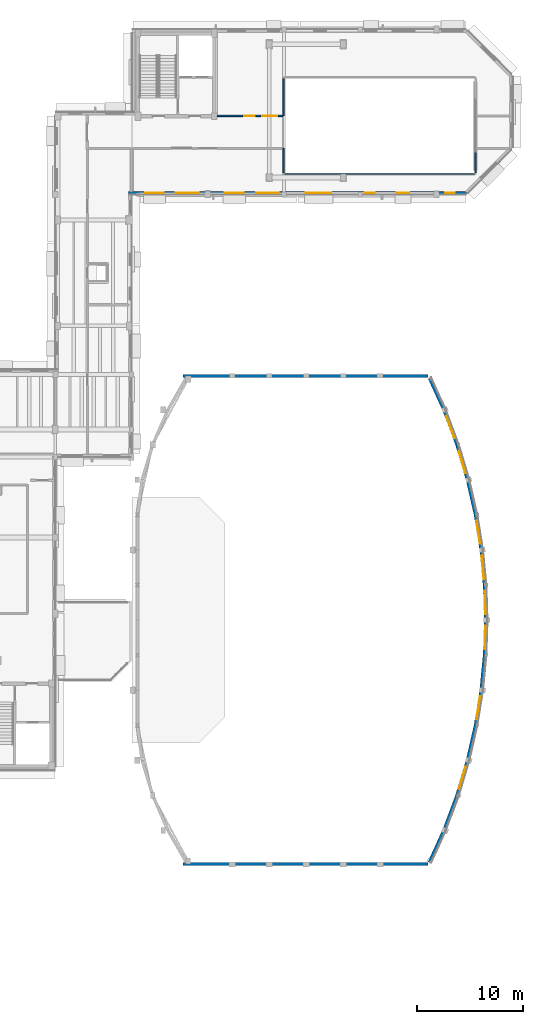
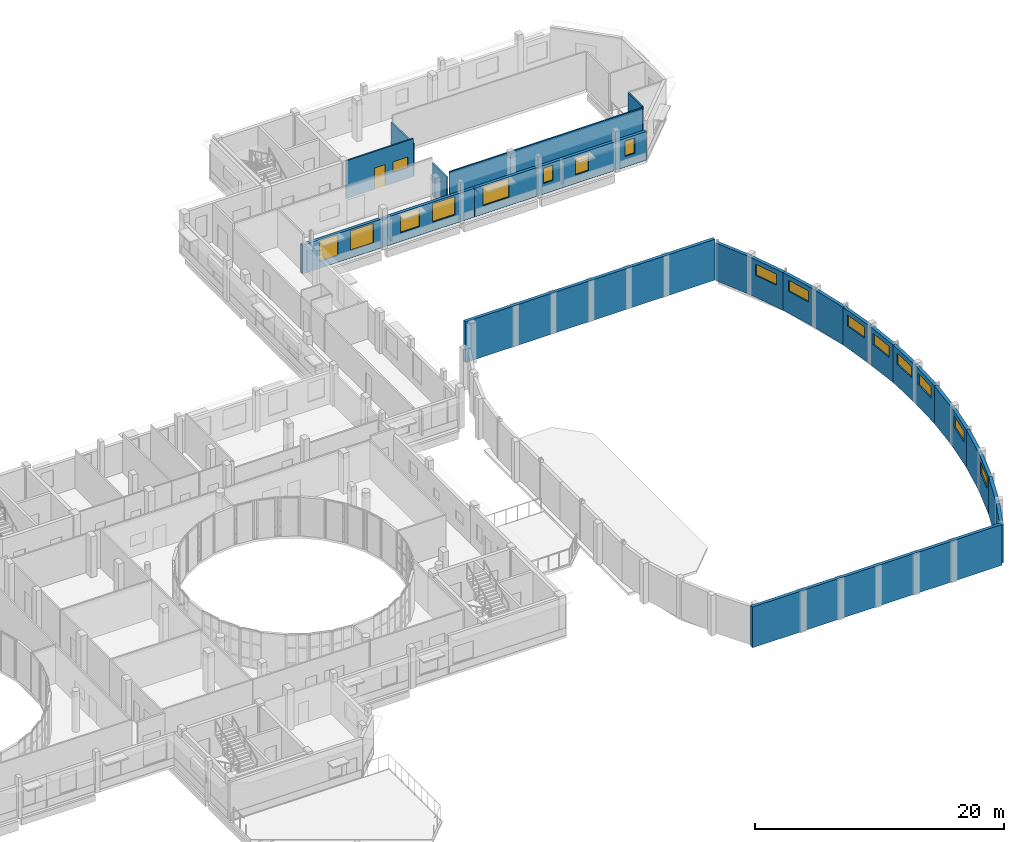
# One storey, part 74 of 89: 23 walls, 17 windows, 1 door, 18 openings.
"""IFC4 building model written with IfcOpenShell, lengths in metres."""

from ifc_helpers import new_model, si_unit, direction, frame, frame_2d, origin, place, context, subcontext, project, spatial, rectangle, extrude, material, layer, layer_set, type_object, element, fill, save


model = new_model("IFC4")

# Units and contexts
model_context = context("Model", 3, precision=1e-05, world=origin(), true_north=direction((0.0, 1.0)))
body_context = subcontext(model_context, "Body", "Model", "MODEL_VIEW")
ifc_project = project(units=[si_unit("LENGTHUNIT", "METRE"), si_unit("AREAUNIT", "SQUARE_METRE"), si_unit("VOLUMEUNIT", "CUBIC_METRE"), si_unit("PLANEANGLEUNIT", "RADIAN"), si_unit("MASSUNIT", "GRAM", prefix="KILO")], contexts=[model_context])

# Site, building, storey
site_placement = place(None, origin())
site = spatial("IfcSite", under=ifc_project, at=site_placement, CompositionType="ELEMENT")
building_placement = place(site_placement, origin())
building = spatial("IfcBuilding", under=site, at=building_placement, Name="Kelanivale Promenade Academy", CompositionType="ELEMENT")
storey_placement = place(building_placement, frame((0.0, 0.0, 12.199951171875)))
storey = spatial("IfcBuildingStorey", under=building, at=storey_placement, Name="L03", CompositionType="ELEMENT", Elevation=12.199951171875)

# Walls
ifc_material_1 = material(Name="Insulated terracotta-clad masonry wall 300 mm", Category="masonry")
ifc_layer_1 = layer(ifc_material_1, 0.300048828125)
ifc_layer_set_1 = layer_set([ifc_layer_1], Name="Insulated terracotta-clad masonry wall 300 mm")
wall_type_1 = type_object("IfcWallType", Name="EW-01 Wall 300mm", PredefinedType="SOLIDWALL", material=ifc_layer_set_1)
wall_1_placement = place(storey_placement, frame((150.928955078125, 33.30908203125, 0.0), z_axis=(0.0, 0.0, 1.0), x_axis=(0.414382257429, 0.910102930842, 0.0)))
element("IfcWall", 1, at=wall_1_placement, inside=storey, type_object=wall_type_1, Name="Assembly Hall Arc Pavilion curved terracotta wall L03", PredefinedType="SOLIDWALL", context=body_context, shape_type="SweptSolid", body=[
    extrude(rectangle(XDim=3.3017578125, YDim=0.300048828125, at=frame_2d((1.65087890625, 0.0))), origin(), (0.0, 0.0, 1.0), 3.695068359375),
])
wall_2_placement = place(storey_placement, frame((152.297119140625, 36.31396484375, 0.0), z_axis=(0.0, 0.0, 1.0), x_axis=(0.350836219137, 0.936436835746, 0.0)))
element("IfcWall", 2, at=wall_2_placement, inside=storey, type_object=wall_type_1, Name="Assembly Hall Arc Pavilion curved terracotta wall L03", PredefinedType="SOLIDWALL", context=body_context, shape_type="SweptSolid", body=[
    extrude(rectangle(XDim=3.5400390625, YDim=0.300048828125, at=frame_2d((1.77001953125, 0.0))), origin(), (0.0, 0.0, 1.0), 3.695068359375),
])

# Wall, opening, window
wall_3_placement = place(storey_placement, frame((153.5390625, 39.62890625, 0.0), z_axis=(0.0, 0.0, 1.0), x_axis=(0.286991798892, 0.957933039084, 0.0)))
wall_3 = element("IfcWall", 3, at=wall_3_placement, inside=storey, type_object=wall_type_1, Name="Assembly Hall Arc Pavilion curved terracotta wall L03", PredefinedType="SOLIDWALL", context=body_context, shape_type="SweptSolid", body=[
    extrude(rectangle(XDim=3.459716796875, YDim=0.300048828125, at=frame_2d((1.72998046875, 0.0))), origin(), (0.0, 0.0, 1.0), 3.695068359375),
])
opening_1_placement = place(wall_3_placement, frame((0.6298828125, 0.0, 2.14990234375)))
opening_1 = element("IfcOpeningElement", 4, at=opening_1_placement, cuts=wall_3, Name="Opening WT-19", PredefinedType="OPENING", context=body_context, shape_type="SweptSolid", body=[
    extrude(rectangle(XDim=2.199951171875, YDim=1.10009765625, at=frame_2d((1.10009765625, 0.550048828125))), frame((0.0, 0.16015625, 0.0), z_axis=(0.0, -1.0, 0.0), x_axis=(1.0, 0.0, 0.0)), (0.0, 0.0, 1.0), 0.320068359375),
])
ifc_material_2 = material(Name="Bronze anodised aluminium frame with low-E laminated glass", Category="aluminium")
window_type_1 = type_object("IfcWindowType", Name="WT-19 Window 2200x1100", PartitioningType="SINGLE_PANEL", PredefinedType="WINDOW", material=ifc_material_2)
window_1_placement = place(opening_1_placement, origin())
window_1 = element("IfcWindow", 5, at=window_1_placement, inside=storey, type_object=window_type_1, Name="Window WT-19", OverallHeight=1.10009765625, OverallWidth=2.199951171875, PartitioningType="SINGLE_PANEL", PredefinedType="WINDOW", context=body_context, shape_type="SweptSolid", body=[
    extrude(rectangle(XDim=2.199951171875, YDim=1.10009765625, at=frame_2d((1.10009765625, 0.550048828125))), frame((0.0, 0.030029296875, 0.0), z_axis=(0.0, -1.0, 0.0), x_axis=(1.0, 0.0, 0.0)), (0.0, 0.0, 1.0), 0.06005859375),
])
fill(opening_1, window_1)

# Wall
wall_4_placement = place(storey_placement, frame((154.531982421875, 42.943115234375, 0.0), z_axis=(0.0, 0.0, 1.0), x_axis=(0.223259599234, 0.974759022195, 0.0)))
element("IfcWall", 6, at=wall_4_placement, inside=storey, type_object=wall_type_1, Name="Assembly Hall Arc Pavilion curved terracotta wall L03", PredefinedType="SOLIDWALL", context=body_context, shape_type="SweptSolid", body=[
    extrude(rectangle(XDim=3.399658203125, YDim=0.300048828125, at=frame_2d((1.69970703125, 0.0))), origin(), (0.0, 0.0, 1.0), 3.695068359375),
])

# Wall, opening, window
wall_5_placement = place(storey_placement, frame((155.291015625, 46.257080078125, 0.0), z_axis=(0.0, 0.0, 1.0), x_axis=(0.159349054769, 0.987222304623, 0.0)))
wall_5 = element("IfcWall", 7, at=wall_5_placement, inside=storey, type_object=wall_type_1, Name="Assembly Hall Arc Pavilion curved terracotta wall L03", PredefinedType="SOLIDWALL", context=body_context, shape_type="SweptSolid", body=[
    extrude(rectangle(XDim=3.35693359375, YDim=0.300048828125, at=frame_2d((1.678466796875, 0.0))), origin(), (0.0, 0.0, 1.0), 3.695068359375),
])
opening_2_placement = place(wall_5_placement, frame((0.577880859375, 0.0, 2.14990234375)))
opening_2 = element("IfcOpeningElement", 8, at=opening_2_placement, cuts=wall_5, Name="Opening WT-19", PredefinedType="OPENING", context=body_context, shape_type="SweptSolid", body=[
    extrude(rectangle(XDim=2.199951171875, YDim=1.10009765625, at=frame_2d((1.10009765625, 0.550048828125))), frame((0.0, 0.16015625, 0.0), z_axis=(0.0, -1.0, 0.0), x_axis=(1.0, 0.0, 0.0)), (0.0, 0.0, 1.0), 0.320068359375),
])
window_2_placement = place(opening_2_placement, origin())
window_2 = element("IfcWindow", 9, at=window_2_placement, inside=storey, type_object=window_type_1, Name="Window WT-19", OverallHeight=1.10009765625, OverallWidth=2.199951171875, PartitioningType="SINGLE_PANEL", PredefinedType="WINDOW", context=body_context, shape_type="SweptSolid", body=[
    extrude(rectangle(XDim=2.199951171875, YDim=1.10009765625, at=frame_2d((1.10009765625, 0.550048828125))), frame((0.0, 0.030029296875, 0.0), z_axis=(0.0, -1.0, 0.0), x_axis=(1.0, 0.0, 0.0)), (0.0, 0.0, 1.0), 0.06005859375),
])
fill(opening_2, window_2)

# Wall
wall_6_placement = place(storey_placement, frame((155.825927734375, 49.571044921875, 0.0), z_axis=(0.0, 0.0, 1.0), x_axis=(0.095525216858, 0.995427010355, 0.0)))
element("IfcWall", 10, at=wall_6_placement, inside=storey, type_object=wall_type_1, Name="Assembly Hall Arc Pavilion curved terracotta wall L03", PredefinedType="SOLIDWALL", context=body_context, shape_type="SweptSolid", body=[
    extrude(rectangle(XDim=3.330078125, YDim=0.300048828125, at=frame_2d((1.6650390625, 0.0))), origin(), (0.0, 0.0, 1.0), 3.695068359375),
])

# Wall, opening, window
wall_7_placement = place(storey_placement, frame((156.14404296875, 52.885986328125, 0.0), z_axis=(0.0, 0.0, 1.0), x_axis=(0.031956559473, 0.999489258725, 0.0)))
wall_7 = element("IfcWall", 11, at=wall_7_placement, inside=storey, type_object=wall_type_1, Name="Assembly Hall Arc Pavilion curved terracotta wall L03", PredefinedType="SOLIDWALL", context=body_context, shape_type="SweptSolid", body=[
    extrude(rectangle(XDim=3.315673828125, YDim=0.300048828125, at=frame_2d((1.65771484375, 0.0))), origin(), (0.0, 0.0, 1.0), 3.695068359375),
])
opening_3_placement = place(wall_7_placement, frame((0.55810546875, 0.0, 2.14990234375)))
opening_3 = element("IfcOpeningElement", 12, at=opening_3_placement, cuts=wall_7, Name="Opening WT-19", PredefinedType="OPENING", context=body_context, shape_type="SweptSolid", body=[
    extrude(rectangle(XDim=2.199951171875, YDim=1.10009765625, at=frame_2d((1.10009765625, 0.550048828125))), frame((0.0, 0.16015625, 0.0), z_axis=(0.0, -1.0, 0.0), x_axis=(1.0, 0.0, 0.0)), (0.0, 0.0, 1.0), 0.320068359375),
])
window_3_placement = place(opening_3_placement, origin())
window_3 = element("IfcWindow", 13, at=window_3_placement, inside=storey, type_object=window_type_1, Name="Window WT-19", OverallHeight=1.10009765625, OverallWidth=2.199951171875, PartitioningType="SINGLE_PANEL", PredefinedType="WINDOW", context=body_context, shape_type="SweptSolid", body=[
    extrude(rectangle(XDim=2.199951171875, YDim=1.10009765625, at=frame_2d((1.10009765625, 0.550048828125))), frame((0.0, 0.030029296875, 0.0), z_axis=(0.0, -1.0, 0.0), x_axis=(1.0, 0.0, 0.0)), (0.0, 0.0, 1.0), 0.06005859375),
])
fill(opening_3, window_3)

wall_8_placement = place(storey_placement, frame((156.25, 56.199951171875, 0.0), z_axis=(0.0, 0.0, 1.0), x_axis=(-0.031956559473, 0.999489258725, 0.0)))
wall_8 = element("IfcWall", 14, at=wall_8_placement, inside=storey, type_object=wall_type_1, Name="Assembly Hall Arc Pavilion curved terracotta wall L03", PredefinedType="SOLIDWALL", context=body_context, shape_type="SweptSolid", body=[
    extrude(rectangle(XDim=3.315673828125, YDim=0.300048828125, at=frame_2d((1.65771484375, 0.0))), origin(), (0.0, 0.0, 1.0), 3.695068359375),
])
opening_4_placement = place(wall_8_placement, frame((0.55810546875, 0.0, 2.14990234375)))
opening_4 = element("IfcOpeningElement", 15, at=opening_4_placement, cuts=wall_8, Name="Opening WT-19", PredefinedType="OPENING", context=body_context, shape_type="SweptSolid", body=[
    extrude(rectangle(XDim=2.199951171875, YDim=1.10009765625, at=frame_2d((1.10009765625, 0.550048828125))), frame((0.0, 0.16015625, 0.0), z_axis=(0.0, -1.0, 0.0), x_axis=(1.0, 0.0, 0.0)), (0.0, 0.0, 1.0), 0.320068359375),
])
window_4_placement = place(opening_4_placement, origin())
window_4 = element("IfcWindow", 16, at=window_4_placement, inside=storey, type_object=window_type_1, Name="Window WT-19", OverallHeight=1.10009765625, OverallWidth=2.199951171875, PartitioningType="SINGLE_PANEL", PredefinedType="WINDOW", context=body_context, shape_type="SweptSolid", body=[
    extrude(rectangle(XDim=2.199951171875, YDim=1.10009765625, at=frame_2d((1.10009765625, 0.550048828125))), frame((0.0, 0.030029296875, 0.0), z_axis=(0.0, -1.0, 0.0), x_axis=(1.0, 0.0, 0.0)), (0.0, 0.0, 1.0), 0.06005859375),
])
fill(opening_4, window_4)

wall_9_placement = place(storey_placement, frame((156.14404296875, 59.513916015625, 0.0), z_axis=(0.0, 0.0, 1.0), x_axis=(-0.095518246268, 0.995427679256, 0.0)))
wall_9 = element("IfcWall", 17, at=wall_9_placement, inside=storey, type_object=wall_type_1, Name="Assembly Hall Arc Pavilion curved terracotta wall L03", PredefinedType="SOLIDWALL", context=body_context, shape_type="SweptSolid", body=[
    extrude(rectangle(XDim=3.330322265625, YDim=0.300048828125, at=frame_2d((1.6650390625, 0.0))), origin(), (0.0, 0.0, 1.0), 3.695068359375),
])
opening_5_placement = place(wall_9_placement, frame((0.56494140625, 0.0, 2.14990234375)))
opening_5 = element("IfcOpeningElement", 18, at=opening_5_placement, cuts=wall_9, Name="Opening WT-19", PredefinedType="OPENING", context=body_context, shape_type="SweptSolid", body=[
    extrude(rectangle(XDim=2.199951171875, YDim=1.10009765625, at=frame_2d((1.10009765625, 0.550048828125))), frame((0.0, 0.16015625, 0.0), z_axis=(0.0, -1.0, 0.0), x_axis=(1.0, 0.0, 0.0)), (0.0, 0.0, 1.0), 0.320068359375),
])
window_5_placement = place(opening_5_placement, origin())
window_5 = element("IfcWindow", 19, at=window_5_placement, inside=storey, type_object=window_type_1, Name="Window WT-19", OverallHeight=1.10009765625, OverallWidth=2.199951171875, PartitioningType="SINGLE_PANEL", PredefinedType="WINDOW", context=body_context, shape_type="SweptSolid", body=[
    extrude(rectangle(XDim=2.199951171875, YDim=1.10009765625, at=frame_2d((1.10009765625, 0.550048828125))), frame((0.0, 0.030029296875, 0.0), z_axis=(0.0, -1.0, 0.0), x_axis=(1.0, 0.0, 0.0)), (0.0, 0.0, 1.0), 0.06005859375),
])
fill(opening_5, window_5)

wall_10_placement = place(storey_placement, frame((155.825927734375, 62.8291015625, 0.0), z_axis=(0.0, 0.0, 1.0), x_axis=(-0.159349054769, 0.987222304623, 0.0)))
wall_10 = element("IfcWall", 20, at=wall_10_placement, inside=storey, type_object=wall_type_1, Name="Assembly Hall Arc Pavilion curved terracotta wall L03", PredefinedType="SOLIDWALL", context=body_context, shape_type="SweptSolid", body=[
    extrude(rectangle(XDim=3.35693359375, YDim=0.300048828125, at=frame_2d((1.678466796875, 0.0))), origin(), (0.0, 0.0, 1.0), 3.695068359375),
])
opening_6_placement = place(wall_10_placement, frame((0.577880859375, 0.0, 2.14990234375)))
opening_6 = element("IfcOpeningElement", 21, at=opening_6_placement, cuts=wall_10, Name="Opening WT-19", PredefinedType="OPENING", context=body_context, shape_type="SweptSolid", body=[
    extrude(rectangle(XDim=2.199951171875, YDim=1.10009765625, at=frame_2d((1.10009765625, 0.550048828125))), frame((0.0, 0.16015625, 0.0), z_axis=(0.0, -1.0, 0.0), x_axis=(1.0, 0.0, 0.0)), (0.0, 0.0, 1.0), 0.320068359375),
])
window_6_placement = place(opening_6_placement, origin())
window_6 = element("IfcWindow", 22, at=window_6_placement, inside=storey, type_object=window_type_1, Name="Window WT-19", OverallHeight=1.10009765625, OverallWidth=2.199951171875, PartitioningType="SINGLE_PANEL", PredefinedType="WINDOW", context=body_context, shape_type="SweptSolid", body=[
    extrude(rectangle(XDim=2.199951171875, YDim=1.10009765625, at=frame_2d((1.10009765625, 0.550048828125))), frame((0.0, 0.030029296875, 0.0), z_axis=(0.0, -1.0, 0.0), x_axis=(1.0, 0.0, 0.0)), (0.0, 0.0, 1.0), 0.06005859375),
])
fill(opening_6, window_6)

# Wall
wall_11_placement = place(storey_placement, frame((155.291015625, 66.14306640625, 0.0), z_axis=(0.0, 0.0, 1.0), x_axis=(-0.223259599234, 0.974759022195, 0.0)))
element("IfcWall", 23, at=wall_11_placement, inside=storey, type_object=wall_type_1, Name="Assembly Hall Arc Pavilion curved terracotta wall L03", PredefinedType="SOLIDWALL", context=body_context, shape_type="SweptSolid", body=[
    extrude(rectangle(XDim=3.399658203125, YDim=0.300048828125, at=frame_2d((1.69970703125, 0.0))), origin(), (0.0, 0.0, 1.0), 3.695068359375),
])

# Wall, opening, window
wall_12_placement = place(storey_placement, frame((154.531982421875, 69.45703125, 0.0), z_axis=(0.0, 0.0, 1.0), x_axis=(-0.287011200065, 0.957927226379, 0.0)))
wall_12 = element("IfcWall", 24, at=wall_12_placement, inside=storey, type_object=wall_type_1, Name="Assembly Hall Arc Pavilion curved terracotta wall L03", PredefinedType="SOLIDWALL", context=body_context, shape_type="SweptSolid", body=[
    extrude(rectangle(XDim=3.45947265625, YDim=0.300048828125, at=frame_2d((1.729736328125, 0.0))), origin(), (0.0, 0.0, 1.0), 3.695068359375),
])
opening_7_placement = place(wall_12_placement, frame((0.6298828125, 0.0, 2.14990234375)))
opening_7 = element("IfcOpeningElement", 25, at=opening_7_placement, cuts=wall_12, Name="Opening WT-19", PredefinedType="OPENING", context=body_context, shape_type="SweptSolid", body=[
    extrude(rectangle(XDim=2.199951171875, YDim=1.10009765625, at=frame_2d((1.10009765625, 0.550048828125))), frame((0.0, 0.16015625, 0.0), z_axis=(0.0, -1.0, 0.0), x_axis=(1.0, 0.0, 0.0)), (0.0, 0.0, 1.0), 0.320068359375),
])
window_7_placement = place(opening_7_placement, origin())
window_7 = element("IfcWindow", 26, at=window_7_placement, inside=storey, type_object=window_type_1, Name="Window WT-19", OverallHeight=1.10009765625, OverallWidth=2.199951171875, PartitioningType="SINGLE_PANEL", PredefinedType="WINDOW", context=body_context, shape_type="SweptSolid", body=[
    extrude(rectangle(XDim=2.199951171875, YDim=1.10009765625, at=frame_2d((1.10009765625, 0.550048828125))), frame((0.0, 0.030029296875, 0.0), z_axis=(0.0, -1.0, 0.0), x_axis=(1.0, 0.0, 0.0)), (0.0, 0.0, 1.0), 0.06005859375),
])
fill(opening_7, window_7)

wall_13_placement = place(storey_placement, frame((153.5390625, 72.77099609375, 0.0), z_axis=(0.0, 0.0, 1.0), x_axis=(-0.350836219137, 0.936436835746, 0.0)))
wall_13 = element("IfcWall", 27, at=wall_13_placement, inside=storey, type_object=wall_type_1, Name="Assembly Hall Arc Pavilion curved terracotta wall L03", PredefinedType="SOLIDWALL", context=body_context, shape_type="SweptSolid", body=[
    extrude(rectangle(XDim=3.5400390625, YDim=0.300048828125, at=frame_2d((1.77001953125, 0.0))), origin(), (0.0, 0.0, 1.0), 3.695068359375),
])
opening_8_placement = place(wall_13_placement, frame((0.669921875, 0.0, 2.14990234375)))
opening_8 = element("IfcOpeningElement", 28, at=opening_8_placement, cuts=wall_13, Name="Opening WT-19", PredefinedType="OPENING", context=body_context, shape_type="SweptSolid", body=[
    extrude(rectangle(XDim=2.199951171875, YDim=1.10009765625, at=frame_2d((1.10009765625, 0.550048828125))), frame((0.0, 0.16015625, 0.0), z_axis=(0.0, -1.0, 0.0), x_axis=(1.0, 0.0, 0.0)), (0.0, 0.0, 1.0), 0.320068359375),
])
window_8_placement = place(opening_8_placement, origin())
window_8 = element("IfcWindow", 29, at=window_8_placement, inside=storey, type_object=window_type_1, Name="Window WT-19", OverallHeight=1.10009765625, OverallWidth=2.199951171875, PartitioningType="SINGLE_PANEL", PredefinedType="WINDOW", context=body_context, shape_type="SweptSolid", body=[
    extrude(rectangle(XDim=2.199951171875, YDim=1.10009765625, at=frame_2d((1.10009765625, 0.550048828125))), frame((0.0, 0.030029296875, 0.0), z_axis=(0.0, -1.0, 0.0), x_axis=(1.0, 0.0, 0.0)), (0.0, 0.0, 1.0), 0.06005859375),
])
fill(opening_8, window_8)

# Walls
wall_14_placement = place(storey_placement, frame((152.297119140625, 76.0859375, 0.0), z_axis=(0.0, 0.0, 1.0), x_axis=(-0.414354372568, 0.910115626684, 0.0)))
element("IfcWall", 30, at=wall_14_placement, inside=storey, type_object=wall_type_1, Name="Assembly Hall Arc Pavilion curved terracotta wall L03", PredefinedType="SOLIDWALL", context=body_context, shape_type="SweptSolid", body=[
    extrude(rectangle(XDim=3.302001953125, YDim=0.300048828125, at=frame_2d((1.65087890625, 0.0))), origin(), (0.0, 0.0, 1.0), 3.695068359375),
])
for number, where, z_axis, x_axis, name in (
    (31, (127.64990234375, 33.14990234375, 0.0), (0.0, 0.0, 1.0), (1.0, 0.0, 0.0), "Assembly Hall Arc Pavilion gable wall L03"),
    (32, (150.7880859375, 79.25, 0.0), (0.0, 0.0, 1.0), (-1.0, 0.0, 0.0), "Assembly Hall Arc Pavilion gable wall L03"),
):
    element("IfcWall", number, at=place(storey_placement, frame(where, z_axis=z_axis, x_axis=x_axis)), inside=storey, type_object=wall_type_1, Name=name, PredefinedType="SOLIDWALL", context=body_context, shape_type="SweptSolid", body=[
        extrude(rectangle(XDim=23.13818359375, YDim=0.300048828125, at=frame_2d((11.569091796875, 0.0))), origin(), (0.0, 0.0, 1.0), 4.0),
    ])

# Wall, openings, windows
ifc_material_3 = material(Name="Insulated ivory stucco masonry wall 280 mm", Category="masonry")
ifc_layer_2 = layer(ifc_material_3, 0.280029296875)
ifc_layer_set_2 = layer_set([ifc_layer_2], Name="Insulated ivory stucco masonry wall 280 mm")
wall_type_2 = type_object("IfcWallType", Name="EW-02 Wall 280mm", PredefinedType="SOLIDWALL", material=ifc_layer_set_2)
wall_15_placement = place(storey_placement, frame((122.52001953125, 96.5400390625, 0.0), z_axis=(0.0, 0.0, 1.0), x_axis=(1.0, 0.0, 0.0)))
wall_15 = element("IfcWall", 33, at=wall_15_placement, inside=storey, type_object=wall_type_2, Name="L03 exterior facade wall EW-L03-ORT-0475", PredefinedType="SOLIDWALL", context=body_context, shape_type="SweptSolid", body=[
    extrude(rectangle(XDim=15.9560546875, YDim=0.280029296875, at=frame_2d((7.97802734375, 0.0))), origin(), (0.0, 0.0, 1.0), 2.81494140625),
])
opening_9_placement = place(wall_15_placement, frame((1.570068359375, 0.0, 0.64990234375)))
opening_9 = element("IfcOpeningElement", 34, at=opening_9_placement, cuts=wall_15, Name="Opening WT-32", PredefinedType="OPENING", context=body_context, shape_type="SweptSolid", body=[
    extrude(rectangle(XDim=1.75, YDim=2.050048828125, at=frame_2d((0.875, 1.02490234375))), frame((0.0, 0.14990234375, 0.0), z_axis=(0.0, -1.0, 0.0), x_axis=(1.0, 0.0, 0.0)), (0.0, 0.0, 1.0), 0.300048828125),
])
opening_10_placement = place(wall_15_placement, frame((4.458984375, 0.0, 0.72509765625)))
opening_10 = element("IfcOpeningElement", 35, at=opening_10_placement, cuts=wall_15, Name="Opening WT-33", PredefinedType="OPENING", context=body_context, shape_type="SweptSolid", body=[
    extrude(rectangle(XDim=2.14990234375, YDim=1.949951171875, at=frame_2d((1.074951171875, 0.97509765625))), frame((0.0, 0.14990234375, 0.0), z_axis=(0.0, -1.0, 0.0), x_axis=(1.0, 0.0, 0.0)), (0.0, 0.0, 1.0), 0.300048828125),
])
opening_11_placement = place(wall_15_placement, frame((9.072998046875, 0.0, 0.85009765625)))
opening_11 = element("IfcOpeningElement", 36, at=opening_11_placement, cuts=wall_15, Name="Opening WT-01", PredefinedType="OPENING", context=body_context, shape_type="SweptSolid", body=[
    extrude(rectangle(XDim=1.800048828125, YDim=1.800048828125, at=frame_2d((0.89990234375, 0.89990234375))), frame((0.0, 0.14990234375, 0.0), z_axis=(0.0, -1.0, 0.0), x_axis=(1.0, 0.0, 0.0)), (0.0, 0.0, 1.0), 0.300048828125),
])
opening_12_placement = place(wall_15_placement, frame((12.06201171875, 0.0, 0.85009765625)))
opening_12 = element("IfcOpeningElement", 37, at=opening_12_placement, cuts=wall_15, Name="Opening WT-02", PredefinedType="OPENING", context=body_context, shape_type="SweptSolid", body=[
    extrude(rectangle(XDim=2.10009765625, YDim=1.800048828125, at=frame_2d((1.050048828125, 0.89990234375))), frame((0.0, 0.14990234375, 0.0), z_axis=(0.0, -1.0, 0.0), x_axis=(1.0, 0.0, 0.0)), (0.0, 0.0, 1.0), 0.300048828125),
])
window_type_2 = type_object("IfcWindowType", Name="WT-01 Window 1800x1800", PartitioningType="SINGLE_PANEL", PredefinedType="WINDOW", material=ifc_material_2)
window_9_placement = place(opening_11_placement, origin())
window_9 = element("IfcWindow", 38, at=window_9_placement, inside=storey, type_object=window_type_2, Name="Window WT-01", OverallHeight=1.800048828125, OverallWidth=1.800048828125, PartitioningType="SINGLE_PANEL", PredefinedType="WINDOW", context=body_context, shape_type="SweptSolid", body=[
    extrude(rectangle(XDim=1.800048828125, YDim=1.800048828125, at=frame_2d((0.89990234375, 0.89990234375))), frame((0.0, 0.030029296875, 0.0), z_axis=(0.0, -1.0, 0.0), x_axis=(1.0, 0.0, 0.0)), (0.0, 0.0, 1.0), 0.06005859375),
])
fill(opening_11, window_9)
window_type_3 = type_object("IfcWindowType", Name="WT-02 Window 2100x1800", PartitioningType="SINGLE_PANEL", PredefinedType="WINDOW", material=ifc_material_2)
window_10_placement = place(opening_12_placement, origin())
window_10 = element("IfcWindow", 39, at=window_10_placement, inside=storey, type_object=window_type_3, Name="Window WT-02", OverallHeight=1.800048828125, OverallWidth=2.10009765625, PartitioningType="SINGLE_PANEL", PredefinedType="WINDOW", context=body_context, shape_type="SweptSolid", body=[
    extrude(rectangle(XDim=2.10009765625, YDim=1.800048828125, at=frame_2d((1.050048828125, 0.89990234375))), frame((0.0, 0.030029296875, 0.0), z_axis=(0.0, -1.0, 0.0), x_axis=(1.0, 0.0, 0.0)), (0.0, 0.0, 1.0), 0.06005859375),
])
fill(opening_12, window_10)
window_type_4 = type_object("IfcWindowType", Name="WT-32 Window 1750x2050", PartitioningType="SINGLE_PANEL", PredefinedType="WINDOW", material=ifc_material_2)
window_11_placement = place(opening_9_placement, origin())
window_11 = element("IfcWindow", 40, at=window_11_placement, inside=storey, type_object=window_type_4, Name="Window WT-32", OverallHeight=2.050048828125, OverallWidth=1.75, PartitioningType="SINGLE_PANEL", PredefinedType="WINDOW", context=body_context, shape_type="SweptSolid", body=[
    extrude(rectangle(XDim=1.75, YDim=2.050048828125, at=frame_2d((0.875, 1.02490234375))), frame((0.0, 0.030029296875, 0.0), z_axis=(0.0, -1.0, 0.0), x_axis=(1.0, 0.0, 0.0)), (0.0, 0.0, 1.0), 0.06005859375),
])
fill(opening_9, window_11)
window_type_5 = type_object("IfcWindowType", Name="WT-33 Window 2150x1950", PartitioningType="SINGLE_PANEL", PredefinedType="WINDOW", material=ifc_material_2)
window_12_placement = place(opening_10_placement, origin())
window_12 = element("IfcWindow", 41, at=window_12_placement, inside=storey, type_object=window_type_5, Name="Window WT-33", OverallHeight=1.949951171875, OverallWidth=2.14990234375, PartitioningType="SINGLE_PANEL", PredefinedType="WINDOW", context=body_context, shape_type="SweptSolid", body=[
    extrude(rectangle(XDim=2.14990234375, YDim=1.949951171875, at=frame_2d((1.074951171875, 0.97509765625))), frame((0.0, 0.030029296875, 0.0), z_axis=(0.0, -1.0, 0.0), x_axis=(1.0, 0.0, 0.0)), (0.0, 0.0, 1.0), 0.06005859375),
])
fill(opening_10, window_12)

wall_16_placement = place(storey_placement, frame((138.47607421875, 96.5400390625, 0.0), z_axis=(0.0, 0.0, 1.0), x_axis=(1.0, 0.0, 0.0)))
wall_16 = element("IfcWall", 42, at=wall_16_placement, inside=storey, type_object=wall_type_2, Name="L03 exterior facade wall EW-L03-ORT-0476", PredefinedType="SOLIDWALL", context=body_context, shape_type="SweptSolid", body=[
    extrude(rectangle(XDim=15.954833984375, YDim=0.280029296875, at=frame_2d((7.9775390625, 0.0))), origin(), (0.0, 0.0, 1.0), 2.81494140625),
])
opening_13_placement = place(wall_16_placement, frame((0.7939453125, 0.0, 0.824951171875)))
opening_13 = element("IfcOpeningElement", 43, at=opening_13_placement, cuts=wall_16, Name="Opening WT-03", PredefinedType="OPENING", context=body_context, shape_type="SweptSolid", body=[
    extrude(rectangle(XDim=2.39990234375, YDim=1.85009765625, at=frame_2d((1.199951171875, 0.925048828125))), frame((0.0, 0.14990234375, 0.0), z_axis=(0.0, -1.0, 0.0), x_axis=(1.0, 0.0, 0.0)), (0.0, 0.0, 1.0), 0.300048828125),
])
opening_14_placement = place(wall_16_placement, frame((6.383056640625, 0.0, 1.050048828125)))
opening_14 = element("IfcOpeningElement", 44, at=opening_14_placement, cuts=wall_16, Name="Opening WT-06", PredefinedType="OPENING", context=body_context, shape_type="SweptSolid", body=[
    extrude(rectangle(XDim=0.89990234375, YDim=1.5, at=frame_2d((0.449951171875, 0.75))), frame((0.0, 0.14990234375, 0.0), z_axis=(0.0, -1.0, 0.0), x_axis=(1.0, 0.0, 0.0)), (0.0, 0.0, 1.0), 0.300048828125),
])
opening_15_placement = place(wall_16_placement, frame((9.3720703125, 0.0, 0.85009765625)))
opening_15 = element("IfcOpeningElement", 45, at=opening_15_placement, cuts=wall_16, Name="Opening WT-05", PredefinedType="OPENING", context=body_context, shape_type="SweptSolid", body=[
    extrude(rectangle(XDim=1.199951171875, YDim=1.64990234375, at=frame_2d((0.60009765625, 0.824951171875))), frame((0.0, 0.14990234375, 0.0), z_axis=(0.0, -1.0, 0.0), x_axis=(1.0, 0.0, 0.0)), (0.0, 0.0, 1.0), 0.300048828125),
])
opening_16_placement = place(wall_16_placement, frame((13.9609375, 0.0, 1.050048828125)))
opening_16 = element("IfcOpeningElement", 46, at=opening_16_placement, cuts=wall_16, Name="Opening WT-06", PredefinedType="OPENING", context=body_context, shape_type="SweptSolid", body=[
    extrude(rectangle(XDim=0.89990234375, YDim=1.5, at=frame_2d((0.449951171875, 0.75))), frame((0.0, 0.14990234375, 0.0), z_axis=(0.0, -1.0, 0.0), x_axis=(1.0, 0.0, 0.0)), (0.0, 0.0, 1.0), 0.300048828125),
])
window_type_6 = type_object("IfcWindowType", Name="WT-03 Window 2400x1850", PartitioningType="SINGLE_PANEL", PredefinedType="WINDOW", material=ifc_material_2)
window_13_placement = place(opening_13_placement, origin())
window_13 = element("IfcWindow", 47, at=window_13_placement, inside=storey, type_object=window_type_6, Name="Window WT-03", OverallHeight=1.85009765625, OverallWidth=2.39990234375, PartitioningType="SINGLE_PANEL", PredefinedType="WINDOW", context=body_context, shape_type="SweptSolid", body=[
    extrude(rectangle(XDim=2.39990234375, YDim=1.85009765625, at=frame_2d((1.199951171875, 0.925048828125))), frame((0.0, 0.030029296875, 0.0), z_axis=(0.0, -1.0, 0.0), x_axis=(1.0, 0.0, 0.0)), (0.0, 0.0, 1.0), 0.06005859375),
])
fill(opening_13, window_13)
window_type_7 = type_object("IfcWindowType", Name="WT-05 Window 1200x1650", PartitioningType="SINGLE_PANEL", PredefinedType="WINDOW", material=ifc_material_2)
window_14_placement = place(opening_15_placement, origin())
window_14 = element("IfcWindow", 48, at=window_14_placement, inside=storey, type_object=window_type_7, Name="Window WT-05", OverallHeight=1.64990234375, OverallWidth=1.199951171875, PartitioningType="SINGLE_PANEL", PredefinedType="WINDOW", context=body_context, shape_type="SweptSolid", body=[
    extrude(rectangle(XDim=1.199951171875, YDim=1.64990234375, at=frame_2d((0.60009765625, 0.824951171875))), frame((0.0, 0.030029296875, 0.0), z_axis=(0.0, -1.0, 0.0), x_axis=(1.0, 0.0, 0.0)), (0.0, 0.0, 1.0), 0.06005859375),
])
fill(opening_15, window_14)
window_type_8 = type_object("IfcWindowType", Name="WT-06 Window 900x1500", PartitioningType="SINGLE_PANEL", PredefinedType="WINDOW", material=ifc_material_2)
window_15_placement = place(opening_14_placement, origin())
window_15 = element("IfcWindow", 49, at=window_15_placement, inside=storey, type_object=window_type_8, Name="Window WT-06", OverallHeight=1.5, OverallWidth=0.89990234375, PartitioningType="SINGLE_PANEL", PredefinedType="WINDOW", context=body_context, shape_type="SweptSolid", body=[
    extrude(rectangle(XDim=0.89990234375, YDim=1.5, at=frame_2d((0.449951171875, 0.75))), frame((0.0, 0.030029296875, 0.0), z_axis=(0.0, -1.0, 0.0), x_axis=(1.0, 0.0, 0.0)), (0.0, 0.0, 1.0), 0.06005859375),
])
fill(opening_14, window_15)
window_16_placement = place(opening_16_placement, origin())
window_16 = element("IfcWindow", 50, at=window_16_placement, inside=storey, type_object=window_type_8, Name="Window WT-06", OverallHeight=1.5, OverallWidth=0.89990234375, PartitioningType="SINGLE_PANEL", PredefinedType="WINDOW", context=body_context, shape_type="SweptSolid", body=[
    extrude(rectangle(XDim=0.89990234375, YDim=1.5, at=frame_2d((0.449951171875, 0.75))), frame((0.0, 0.030029296875, 0.0), z_axis=(0.0, -1.0, 0.0), x_axis=(1.0, 0.0, 0.0)), (0.0, 0.0, 1.0), 0.06005859375),
])
fill(opening_16, window_16)

# Walls
ifc_material_4 = material(Name="Acoustic double-stud gypsum board partition 140 mm", Category="masonry")
ifc_layer_3 = layer(ifc_material_4, 0.139892578125)
ifc_layer_set_3 = layer_set([ifc_layer_3], Name="Acoustic double-stud gypsum board partition 140 mm")
wall_type_3 = type_object("IfcWallType", Name="IW-04 Wall 140mm", PredefinedType="PARTITIONING", material=ifc_layer_set_3)
wall_17_placement = place(storey_placement, frame((137.1298828125, 98.449951171875, 0.0), z_axis=(0.0, 0.0, 1.0), x_axis=(0.0, 1.0, 0.0)))
element("IfcWall", 51, at=wall_17_placement, inside=storey, type_object=wall_type_3, Name="L03 partition Upper Library Book Stacks", PredefinedType="PARTITIONING", context=body_context, shape_type="SweptSolid", body=[
    extrude(rectangle(XDim=2.320068359375, YDim=0.139892578125, at=frame_2d((1.16015625, 0.0))), origin(), (0.0, 0.0, 1.0), 3.1650390625),
])
wall_18_placement = place(storey_placement, frame((155.27001953125, 100.701904296875, 0.0), z_axis=(0.0, 0.0, 1.0), x_axis=(0.0, -1.0, 0.0)))
element("IfcWall", 52, at=wall_18_placement, inside=storey, type_object=wall_type_3, Name="L03 partition Upper Library Book Stacks", PredefinedType="PARTITIONING", context=body_context, shape_type="SweptSolid", body=[
    extrude(rectangle(XDim=2.251953125, YDim=0.139892578125, at=frame_2d((1.1259765625, 0.0))), origin(), (0.0, 0.0, 1.0), 3.715087890625),
])
wall_19_placement = place(storey_placement, frame((155.14990234375, 98.330078125, 0.0), z_axis=(0.0, 0.0, 1.0), x_axis=(-1.0, 0.0, 0.0)))
element("IfcWall", 53, at=wall_19_placement, inside=storey, type_object=wall_type_3, Name="L03 partition Upper Library Book Stacks", PredefinedType="PARTITIONING", context=body_context, shape_type="SweptSolid", body=[
    extrude(rectangle(XDim=17.89990234375, YDim=0.139892578125, at=frame_2d((8.949951171875, 0.0))), origin(), (0.0, 0.0, 1.0), 3.715087890625),
])

# Wall, openings, door, window
wall_20_placement = place(storey_placement, frame((130.830078125, 103.830078125, 0.0), z_axis=(0.0, 0.0, 1.0), x_axis=(1.0, 0.0, 0.0)))
wall_20 = element("IfcWall", 54, at=wall_20_placement, inside=storey, type_object=wall_type_3, Name="L03 partition Library Mezzanine Study Room", PredefinedType="PARTITIONING", context=body_context, shape_type="SweptSolid", body=[
    extrude(rectangle(XDim=6.239990234375, YDim=0.139892578125, at=frame_2d((3.1201171875, 0.0))), origin(), (0.0, 0.0, 1.0), 3.715087890625),
])
opening_17_placement = place(wall_20_placement, frame((2.6201171875, 0.0, 0.0)))
opening_17 = element("IfcOpeningElement", 55, at=opening_17_placement, cuts=wall_20, Name="Opening ID-L03-172", PredefinedType="OPENING", context=body_context, shape_type="SweptSolid", body=[
    extrude(rectangle(XDim=1.0, YDim=2.10009765625, at=frame_2d((0.5, 1.050048828125))), frame((0.0, 0.080078125, 0.0), z_axis=(0.0, -1.0, 0.0), x_axis=(1.0, 0.0, 0.0)), (0.0, 0.0, 1.0), 0.159912109375),
])
opening_18_placement = place(wall_20_placement, frame((4.320068359375, 0.0, 1.050048828125)))
opening_18 = element("IfcOpeningElement", 56, at=opening_18_placement, cuts=wall_20, Name="Opening WT-I03", PredefinedType="OPENING", context=body_context, shape_type="SweptSolid", body=[
    extrude(rectangle(XDim=1.39990234375, YDim=1.050048828125, at=frame_2d((0.699951171875, 0.52490234375))), frame((0.0, 0.080078125, 0.0), z_axis=(0.0, -1.0, 0.0), x_axis=(1.0, 0.0, 0.0)), (0.0, 0.0, 1.0), 0.159912109375),
])
ifc_material_5 = material(Name="Solid-core tropical teak timber", Category="wood")
door_type = type_object("IfcDoorType", Name="DT-I01 Door 1000x2100", OperationType="NOTDEFINED", PredefinedType="DOOR", material=ifc_material_5)
door_placement = place(opening_17_placement, origin())
door = element("IfcDoor", 57, at=door_placement, inside=storey, type_object=door_type, Name="Library Mezzanine Study Room door ID-L03-172", OperationType="SINGLE_SWING_LEFT", OverallHeight=2.10009765625, OverallWidth=1.0, PredefinedType="DOOR", context=body_context, shape_type="SweptSolid", body=[
    extrude(rectangle(XDim=1.0, YDim=2.10009765625, at=frame_2d((0.5, 1.050048828125))), frame((0.0, 0.02490234375, 0.0), z_axis=(0.0, -1.0, 0.0), x_axis=(1.0, 0.0, 0.0)), (0.0, 0.0, 1.0), 0.050048828125),
])
fill(opening_17, door)
window_type_9 = type_object("IfcWindowType", Name="WT-I03 Window 1400x1050", PartitioningType="SINGLE_PANEL", PredefinedType="WINDOW", material=ifc_material_2)
window_17_placement = place(opening_18_placement, origin())
window_17 = element("IfcWindow", 58, at=window_17_placement, inside=storey, type_object=window_type_9, Name="Interior observation window WT-I03", OverallHeight=1.050048828125, OverallWidth=1.39990234375, PartitioningType="SINGLE_PANEL", PredefinedType="WINDOW", context=body_context, shape_type="SweptSolid", body=[
    extrude(rectangle(XDim=1.39990234375, YDim=1.050048828125, at=frame_2d((0.699951171875, 0.52490234375))), frame((0.0, 0.030029296875, 0.0), z_axis=(0.0, -1.0, 0.0), x_axis=(1.0, 0.0, 0.0)), (0.0, 0.0, 1.0), 0.06005859375),
])
fill(opening_18, window_17)

# Wall
wall_21_placement = place(storey_placement, frame((137.1298828125, 103.830078125, 0.0), z_axis=(0.0, 0.0, 1.0), x_axis=(0.0, 1.0, 0.0)))
element("IfcWall", 59, at=wall_21_placement, inside=storey, type_object=wall_type_3, Name="L03 partition Library Mezzanine Study Room", PredefinedType="PARTITIONING", context=body_context, shape_type="SweptSolid", body=[
    extrude(rectangle(XDim=3.52001953125, YDim=0.139892578125, at=frame_2d((1.760009765625, 0.0))), origin(), (0.0, 0.0, 1.0), 3.1650390625),
])

save(model, "model.ifc")
